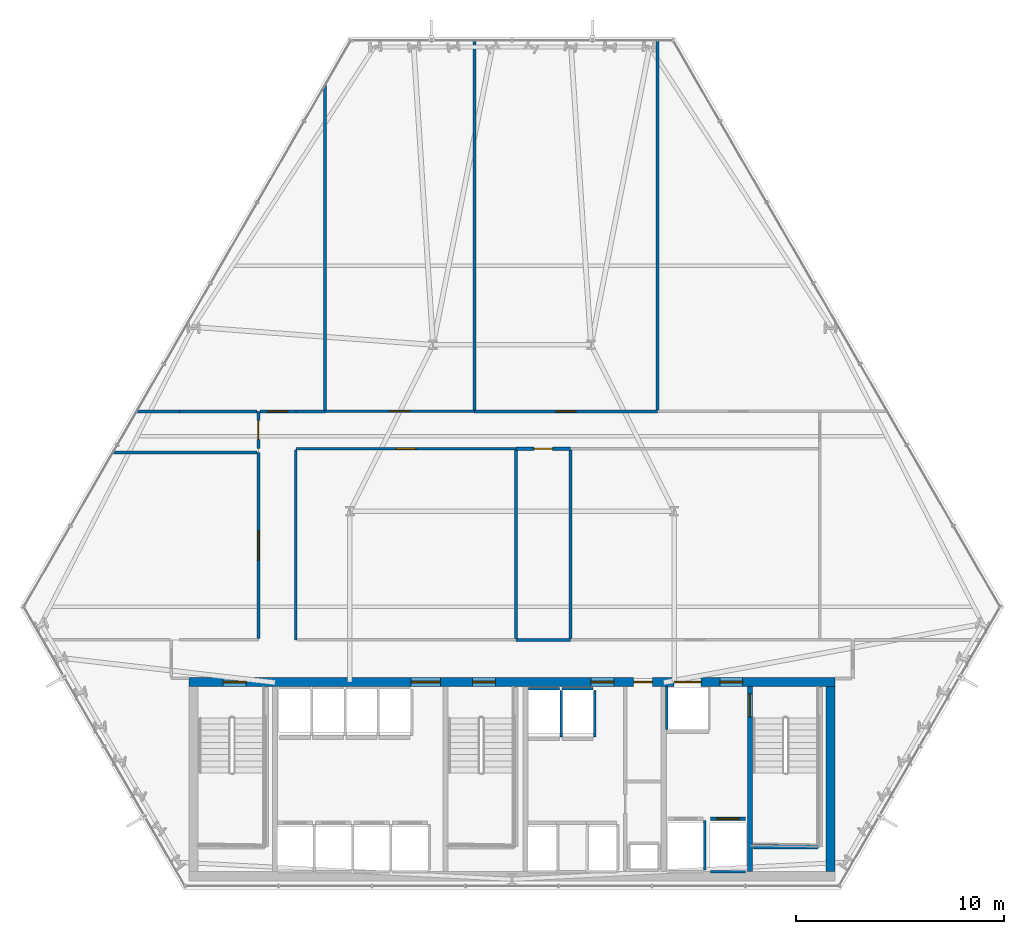
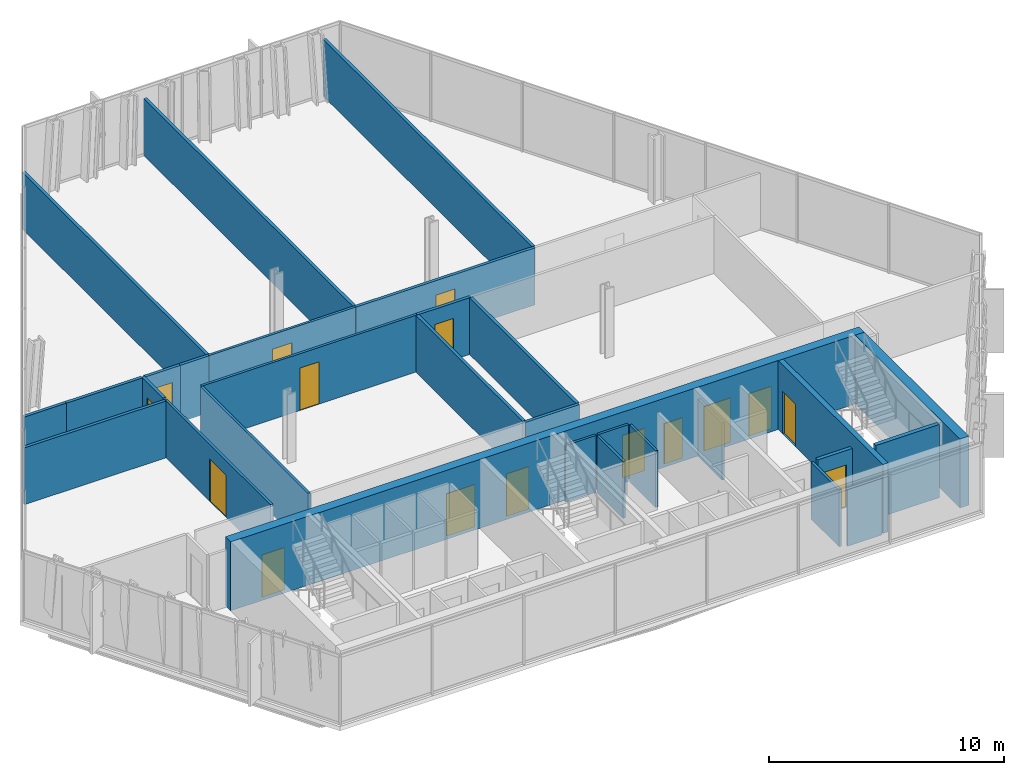
# One storey, part 27 of 32: 30 walls, 16 doors, 16 openings.
"""IFC4 building model written with IfcOpenShell, lengths in metres."""

from ifc_helpers import new_model, si_unit, direction, frame, frame_2d, origin, place, context, subcontext, project, spatial, rectangle, extrude, material, layer, layer_set, type_object, element, fill, save


model = new_model("IFC4")

# Units and contexts
model_context = context("Model", 3, precision=1e-05, world=origin(), true_north=direction((0.0, 1.0)))
body_context = subcontext(model_context, "Body", "Model", "MODEL_VIEW")
ifc_project = project(units=[si_unit("LENGTHUNIT", "METRE"), si_unit("AREAUNIT", "SQUARE_METRE"), si_unit("VOLUMEUNIT", "CUBIC_METRE"), si_unit("PLANEANGLEUNIT", "RADIAN"), si_unit("MASSUNIT", "GRAM", prefix="KILO")], contexts=[model_context])

# Site, building, storey
site_placement = place(None, origin())
site = spatial("IfcSite", under=ifc_project, at=site_placement, CompositionType="ELEMENT")
building_placement = place(site_placement, origin())
building = spatial("IfcBuilding", under=site, at=building_placement, Name="Ndaravel Arena Tower", CompositionType="ELEMENT")
storey_placement = place(building_placement, frame((0.0, 0.0, 66.39990234375)))
storey = spatial("IfcBuildingStorey", under=building, at=storey_placement, Name="L14", CompositionType="ELEMENT", Elevation=66.39990234375)

# Wall, opening, door
ifc_material_1 = material(Name="Concrete C60/75", Category="concrete")
ifc_layer_1 = layer(ifc_material_1, 0.25)
ifc_layer_set_1 = layer_set([ifc_layer_1], Name="Concrete C60/75")
wall_type_1 = type_object("IfcWallType", Name="WALL-CORE-250", PredefinedType="SOLIDWALL", material=ifc_layer_set_1)
wall_1_placement = place(storey_placement, frame((53.449951171875, 5.85009765625, 0.0), z_axis=(0.0, 0.0, 1.0), x_axis=(0.0, 1.0, 0.0)))
wall_1 = element("IfcWall", 1, at=wall_1_placement, inside=storey, type_object=wall_type_1, Name="L14 Core Web Shear Wall 5", PredefinedType="SOLIDWALL", context=body_context, shape_type="SweptSolid", body=[
    extrude(rectangle(XDim=8.89990234375, YDim=0.25, at=frame_2d((4.449951171875, 0.0))), origin(), (0.0, 0.0, 1.0), 3.580078125),
])
opening_1_placement = place(wall_1_placement, frame((7.449951171875, 0.0, 0.0)))
opening_1 = element("IfcOpeningElement", 2, at=opening_1_placement, cuts=wall_1, Name="Opening FD-01", PredefinedType="OPENING", context=body_context, shape_type="SweptSolid", body=[
    extrude(rectangle(XDim=1.10009765625, YDim=2.199951171875, at=frame_2d((0.550048828125, 1.10009765625))), frame((0.0, 0.125, 0.0), z_axis=(0.0, -1.0, 0.0), x_axis=(1.0, 0.0, 0.0)), (0.0, 0.0, 1.0), 0.25),
])
ifc_material_2 = material(Name="Steel S355", Category="steel")
door_type_1 = type_object("IfcDoorType", Name="DT-01-STAIR-1100", OperationType="SINGLE_SWING_LEFT", PredefinedType="DOOR", material=ifc_material_2)
door_1_placement = place(opening_1_placement, origin())
door_1 = element("IfcDoor", 3, at=door_1_placement, inside=storey, type_object=door_type_1, Name="L14 Firefighting Lobby to ST-3 Door", OperationType="SINGLE_SWING_LEFT", OverallHeight=2.199951171875, OverallWidth=1.10009765625, PredefinedType="DOOR", context=body_context, shape_type="SweptSolid", body=[
    extrude(rectangle(XDim=1.10009765625, YDim=2.199951171875, at=frame_2d((0.550048828125, 1.10009765625))), frame((0.0, 0.02490234375, 0.0), z_axis=(0.0, -1.0, 0.0), x_axis=(1.0, 0.0, 0.0)), (0.0, 0.0, 1.0), 0.050048828125),
])
fill(opening_1, door_1)

# Wall, openings, doors
ifc_material_3 = material(Name="Concrete C60/75", Category="concrete")
ifc_layer_2 = layer(ifc_material_3, 0.449951171875)
ifc_layer_set_2 = layer_set([ifc_layer_2], Name="Concrete C60/75")
wall_type_2 = type_object("IfcWallType", Name="WALL-CORE-450", PredefinedType="SOLIDWALL", material=ifc_layer_set_2)
wall_2_placement = place(storey_placement, frame((26.449951171875, 14.97509765625, 0.0), z_axis=(0.0, 0.0, 1.0), x_axis=(1.0, 0.0, 0.0)))
wall_2 = element("IfcWall", 4, at=wall_2_placement, inside=storey, type_object=wall_type_2, Name="L14 Core North Shear Wall", PredefinedType="SOLIDWALL", context=body_context, shape_type="SweptSolid", body=[
    extrude(rectangle(XDim=31.10009765625, YDim=0.449951171875, at=frame_2d((15.550048828125, 0.0))), origin(), (0.0, 0.0, 1.0), 3.580078125),
])
opening_2_placement = place(wall_2_placement, frame((1.64990234375, 0.0, 0.0)))
opening_2 = element("IfcOpeningElement", 5, at=opening_2_placement, cuts=wall_2, Name="Opening FD-01", PredefinedType="OPENING", context=body_context, shape_type="SweptSolid", body=[
    extrude(rectangle(XDim=1.10009765625, YDim=2.199951171875, at=frame_2d((0.550048828125, 1.10009765625))), frame((0.0, 0.22509765625, 0.0), z_axis=(0.0, -1.0, 0.0), x_axis=(1.0, 0.0, 0.0)), (0.0, 0.0, 1.0), 0.449951171875),
])
opening_3_placement = place(wall_2_placement, frame((13.64990234375, 0.0, 0.0)))
opening_3 = element("IfcOpeningElement", 6, at=opening_3_placement, cuts=wall_2, Name="Opening FD-01", PredefinedType="OPENING", context=body_context, shape_type="SweptSolid", body=[
    extrude(rectangle(XDim=1.10009765625, YDim=2.199951171875, at=frame_2d((0.550048828125, 1.10009765625))), frame((0.0, 0.22509765625, 0.0), z_axis=(0.0, -1.0, 0.0), x_axis=(1.0, 0.0, 0.0)), (0.0, 0.0, 1.0), 0.449951171875),
])
opening_4_placement = place(wall_2_placement, frame((25.550048828125, 0.0, 0.0)))
opening_4 = element("IfcOpeningElement", 7, at=opening_4_placement, cuts=wall_2, Name="Opening FD-01", PredefinedType="OPENING", context=body_context, shape_type="SweptSolid", body=[
    extrude(rectangle(XDim=1.10009765625, YDim=2.199951171875, at=frame_2d((0.550048828125, 1.10009765625))), frame((0.0, 0.22509765625, 0.0), z_axis=(0.0, -1.0, 0.0), x_axis=(1.0, 0.0, 0.0)), (0.0, 0.0, 1.0), 0.449951171875),
])
opening_5_placement = place(wall_2_placement, frame((10.699951171875, 0.0, 0.0)))
opening_5 = element("IfcOpeningElement", 8, at=opening_5_placement, cuts=wall_2, Name="Opening ID-02", PredefinedType="OPENING", context=body_context, shape_type="SweptSolid", body=[
    extrude(rectangle(XDim=1.39990234375, YDim=2.199951171875, at=frame_2d((0.699951171875, 1.10009765625))), frame((0.0, 0.22509765625, 0.0), z_axis=(0.0, -1.0, 0.0), x_axis=(1.0, 0.0, 0.0)), (0.0, 0.0, 1.0), 0.449951171875),
])
opening_6_placement = place(wall_2_placement, frame((19.35009765625, 0.0, 0.0)))
opening_6 = element("IfcOpeningElement", 9, at=opening_6_placement, cuts=wall_2, Name="Opening FD-01", PredefinedType="OPENING", context=body_context, shape_type="SweptSolid", body=[
    extrude(rectangle(XDim=1.10009765625, YDim=2.199951171875, at=frame_2d((0.550048828125, 1.10009765625))), frame((0.0, 0.22509765625, 0.0), z_axis=(0.0, -1.0, 0.0), x_axis=(1.0, 0.0, 0.0)), (0.0, 0.0, 1.0), 0.449951171875),
])
opening_7_placement = place(wall_2_placement, frame((21.39990234375, 0.0, 0.0)))
opening_7 = element("IfcOpeningElement", 10, at=opening_7_placement, cuts=wall_2, Name="Opening RD-01", PredefinedType="OPENING", context=body_context, shape_type="SweptSolid", body=[
    extrude(rectangle(XDim=0.89990234375, YDim=2.10009765625, at=frame_2d((0.449951171875, 1.050048828125))), frame((0.0, 0.22509765625, 0.0), z_axis=(0.0, -1.0, 0.0), x_axis=(1.0, 0.0, 0.0)), (0.0, 0.0, 1.0), 0.449951171875),
])
opening_8_placement = place(wall_2_placement, frame((23.35009765625, 0.0, 0.0)))
opening_8 = element("IfcOpeningElement", 11, at=opening_8_placement, cuts=wall_2, Name="Opening LD-02", PredefinedType="OPENING", context=body_context, shape_type="SweptSolid", body=[
    extrude(rectangle(XDim=1.300048828125, YDim=2.300048828125, at=frame_2d((0.64990234375, 1.14990234375))), frame((0.0, 0.22509765625, 0.0), z_axis=(0.0, -1.0, 0.0), x_axis=(1.0, 0.0, 0.0)), (0.0, 0.0, 1.0), 0.449951171875),
])
door_2_placement = place(opening_2_placement, origin())
door_2 = element("IfcDoor", 12, at=door_2_placement, inside=storey, type_object=door_type_1, Name="L14 Exit Stair ST-1 Door", OperationType="SINGLE_SWING_LEFT", OverallHeight=2.199951171875, OverallWidth=1.10009765625, PredefinedType="DOOR", context=body_context, shape_type="SweptSolid", body=[
    extrude(rectangle(XDim=1.10009765625, YDim=2.199951171875, at=frame_2d((0.550048828125, 1.10009765625))), frame((0.0, 0.02490234375, 0.0), z_axis=(0.0, -1.0, 0.0), x_axis=(1.0, 0.0, 0.0)), (0.0, 0.0, 1.0), 0.050048828125),
])
fill(opening_2, door_2)
door_3_placement = place(opening_3_placement, origin())
door_3 = element("IfcDoor", 13, at=door_3_placement, inside=storey, type_object=door_type_1, Name="L14 Exit Stair ST-2 Door", OperationType="SINGLE_SWING_RIGHT", OverallHeight=2.199951171875, OverallWidth=1.10009765625, PredefinedType="DOOR", context=body_context, shape_type="SweptSolid", body=[
    extrude(rectangle(XDim=1.10009765625, YDim=2.199951171875, at=frame_2d((0.550048828125, 1.10009765625))), frame((0.0, 0.02490234375, 0.0), z_axis=(0.0, -1.0, 0.0), x_axis=(1.0, 0.0, 0.0)), (0.0, 0.0, 1.0), 0.050048828125),
])
fill(opening_3, door_3)
door_4_placement = place(opening_4_placement, origin())
door_4 = element("IfcDoor", 14, at=door_4_placement, inside=storey, type_object=door_type_1, Name="L14 Firefighting Lift Lobby Door", OperationType="SINGLE_SWING_RIGHT", OverallHeight=2.199951171875, OverallWidth=1.10009765625, PredefinedType="DOOR", context=body_context, shape_type="SweptSolid", body=[
    extrude(rectangle(XDim=1.10009765625, YDim=2.199951171875, at=frame_2d((0.550048828125, 1.10009765625))), frame((0.0, 0.02490234375, 0.0), z_axis=(0.0, -1.0, 0.0), x_axis=(1.0, 0.0, 0.0)), (0.0, 0.0, 1.0), 0.050048828125),
])
fill(opening_4, door_4)
door_5_placement = place(opening_6_placement, origin())
door_5 = element("IfcDoor", 15, at=door_5_placement, inside=storey, type_object=door_type_1, Name="L14 Express Lift Lobby Entry Door", OperationType="SINGLE_SWING_LEFT", OverallHeight=2.199951171875, OverallWidth=1.10009765625, PredefinedType="DOOR", context=body_context, shape_type="SweptSolid", body=[
    extrude(rectangle(XDim=1.10009765625, YDim=2.199951171875, at=frame_2d((0.550048828125, 1.10009765625))), frame((0.0, 0.02490234375, 0.0), z_axis=(0.0, -1.0, 0.0), x_axis=(1.0, 0.0, 0.0)), (0.0, 0.0, 1.0), 0.050048828125),
])
fill(opening_6, door_5)
ifc_material_4 = material(Name="Timber", Category="wood")
door_type_2 = type_object("IfcDoorType", Name="DT-04-SUITE-1400", OperationType="DOUBLE_DOOR_SINGLE_SWING", PredefinedType="DOOR", material=ifc_material_4)
door_6_placement = place(opening_5_placement, origin())
door_6 = element("IfcDoor", 16, at=door_6_placement, inside=storey, type_object=door_type_2, Name="L14 West Lift Lobby Entry Door", OperationType="DOUBLE_DOOR_SINGLE_SWING", OverallHeight=2.199951171875, OverallWidth=1.39990234375, PredefinedType="DOOR", context=body_context, shape_type="SweptSolid", body=[
    extrude(rectangle(XDim=1.39990234375, YDim=2.199951171875, at=frame_2d((0.699951171875, 1.10009765625))), frame((0.0, 0.02490234375, 0.0), z_axis=(0.0, -1.0, 0.0), x_axis=(1.0, 0.0, 0.0)), (0.0, 0.0, 1.0), 0.050048828125),
])
fill(opening_5, door_6)
ifc_material_5 = material(Name="Steel S355", Category="steel")
door_type_3 = type_object("IfcDoorType", Name="DT-07-SVLIFT-1300", OperationType="DOUBLE_DOOR_SLIDING", PredefinedType="DOOR", material=ifc_material_5)
door_7_placement = place(opening_8_placement, origin())
door_7 = element("IfcDoor", 17, at=door_7_placement, inside=storey, type_object=door_type_3, Name="L14 Lift SVL-1 Sliding Landing Door", OperationType="DOUBLE_DOOR_SLIDING", OverallHeight=2.300048828125, OverallWidth=1.300048828125, PredefinedType="DOOR", context=body_context, shape_type="SweptSolid", body=[
    extrude(rectangle(XDim=1.300048828125, YDim=2.300048828125, at=frame_2d((0.64990234375, 1.14990234375))), frame((0.0, 0.02490234375, 0.0), z_axis=(0.0, -1.0, 0.0), x_axis=(1.0, 0.0, 0.0)), (0.0, 0.0, 1.0), 0.050048828125),
])
fill(opening_8, door_7)
ifc_material_6 = material(Name="Steel S355", Category="steel")
door_type_4 = type_object("IfcDoorType", Name="DT-08-RISER-900", OperationType="SINGLE_SWING_LEFT", PredefinedType="DOOR", material=ifc_material_6)
door_8_placement = place(opening_7_placement, origin())
door_8 = element("IfcDoor", 18, at=door_8_placement, inside=storey, type_object=door_type_4, Name="L14 Core Service Riser North Door", OperationType="SINGLE_SWING_LEFT", OverallHeight=2.10009765625, OverallWidth=0.89990234375, PredefinedType="DOOR", context=body_context, shape_type="SweptSolid", body=[
    extrude(rectangle(XDim=0.89990234375, YDim=2.10009765625, at=frame_2d((0.449951171875, 1.050048828125))), frame((0.0, 0.02490234375, 0.0), z_axis=(0.0, -1.0, 0.0), x_axis=(1.0, 0.0, 0.0)), (0.0, 0.0, 1.0), 0.050048828125),
])
fill(opening_7, door_8)

# Wall
wall_3_placement = place(storey_placement, frame((57.324951171875, 5.85009765625, 0.0), z_axis=(0.0, 0.0, 1.0), x_axis=(0.0, 1.0, 0.0)))
element("IfcWall", 19, at=wall_3_placement, inside=storey, type_object=wall_type_2, Name="L14 Core East Shear Wall", PredefinedType="SOLIDWALL", context=body_context, shape_type="SweptSolid", body=[
    extrude(rectangle(XDim=8.89990234375, YDim=0.449951171875, at=frame_2d((4.449951171875, 0.0))), origin(), (0.0, 0.0, 1.0), 3.580078125),
])

# Wall, opening, door
ifc_material_7 = material(Name="Gypsum", Category="gypsum")
ifc_layer_3 = layer(ifc_material_7, 0.125)
ifc_layer_set_3 = layer_set([ifc_layer_3], Name="Gypsum")
wall_type_3 = type_object("IfcWallType", Name="WALL-PART-125", PredefinedType="PARTITIONING", material=ifc_layer_set_3)
wall_4_placement = place(storey_placement, frame((29.800048828125, 17.06494140625, 0.0), z_axis=(0.0, 0.0, 1.0), x_axis=(0.0, 1.0, 0.0)))
wall_4 = element("IfcWall", 20, at=wall_4_placement, inside=storey, type_object=wall_type_3, Name="L14 Interior Partition 006", PredefinedType="PARTITIONING", context=body_context, shape_type="SweptSolid", body=[
    extrude(rectangle(XDim=8.955078125, YDim=0.125, at=frame_2d((4.4775390625, 0.0))), origin(), (0.0, 0.0, 1.0), 2.9501953125),
])
opening_9_placement = place(wall_4_placement, frame((3.777587890625, 0.0, 0.0)))
opening_9 = element("IfcOpeningElement", 21, at=opening_9_placement, cuts=wall_4, Name="Opening ID-02", PredefinedType="OPENING", context=body_context, shape_type="SweptSolid", body=[
    extrude(rectangle(XDim=1.39990234375, YDim=2.199951171875, at=frame_2d((0.699951171875, 1.10009765625))), frame((0.0, 0.0625, 0.0), z_axis=(0.0, -1.0, 0.0), x_axis=(1.0, 0.0, 0.0)), (0.0, 0.0, 1.0), 0.125),
])
door_9_placement = place(opening_9_placement, origin())
door_9 = element("IfcDoor", 22, at=door_9_placement, inside=storey, type_object=door_type_2, Name="L14 Visitor Reception Desk Door", OperationType="SINGLE_SWING_LEFT", OverallHeight=2.199951171875, OverallWidth=1.39990234375, PredefinedType="DOOR", context=body_context, shape_type="SweptSolid", body=[
    extrude(rectangle(XDim=1.39990234375, YDim=2.199951171875, at=frame_2d((0.699951171875, 1.10009765625))), frame((0.0, 0.02490234375, 0.0), z_axis=(0.0, -1.0, 0.0), x_axis=(1.0, 0.0, 0.0)), (0.0, 0.0, 1.0), 0.050048828125),
])
fill(opening_9, door_9)

wall_5_placement = place(storey_placement, frame((33.0, 28.0, 0.0), z_axis=(0.0, 0.0, 1.0), x_axis=(1.0, 0.0, 0.0)))
wall_5 = element("IfcWall", 23, at=wall_5_placement, inside=storey, type_object=wall_type_3, Name="L14 Interior Partition 010", PredefinedType="PARTITIONING", context=body_context, shape_type="SweptSolid", body=[
    extrude(rectangle(XDim=7.199951171875, YDim=0.125, at=frame_2d((3.60009765625, 0.0))), origin(), (0.0, 0.0, 1.0), 2.9501953125),
])
opening_10_placement = place(wall_5_placement, frame((3.125, 0.0, 0.0)))
opening_10 = element("IfcOpeningElement", 24, at=opening_10_placement, cuts=wall_5, Name="Opening ID-01", PredefinedType="OPENING", context=body_context, shape_type="SweptSolid", body=[
    extrude(rectangle(XDim=0.949951171875, YDim=2.199951171875, at=frame_2d((0.47509765625, 1.10009765625))), frame((0.0, 0.0625, 0.0), z_axis=(0.0, -1.0, 0.0), x_axis=(1.0, 0.0, 0.0)), (0.0, 0.0, 1.0), 0.125),
])
ifc_material_8 = material(Name="Timber", Category="wood")
door_type_5 = type_object("IfcDoorType", Name="DT-03-OFFICE-950", OperationType="SINGLE_SWING_LEFT", PredefinedType="DOOR", material=ifc_material_8)
door_10_placement = place(opening_10_placement, origin())
door_10 = element("IfcDoor", 25, at=door_10_placement, inside=storey, type_object=door_type_5, Name="L14 Executive Corner Office 4 Door", OperationType="SINGLE_SWING_LEFT", OverallHeight=2.199951171875, OverallWidth=0.949951171875, PredefinedType="DOOR", context=body_context, shape_type="SweptSolid", body=[
    extrude(rectangle(XDim=0.949951171875, YDim=2.199951171875, at=frame_2d((0.47509765625, 1.10009765625))), frame((0.0, 0.02490234375, 0.0), z_axis=(0.0, -1.0, 0.0), x_axis=(1.0, 0.0, 0.0)), (0.0, 0.0, 1.0), 0.050048828125),
])
fill(opening_10, door_10)

wall_6_placement = place(storey_placement, frame((42.18408203125, 26.199951171875, 0.0), z_axis=(0.0, 0.0, 1.0), x_axis=(-1.0, 0.0, 0.0)))
wall_6 = element("IfcWall", 26, at=wall_6_placement, inside=storey, type_object=wall_type_3, Name="L14 Interior Partition 016", PredefinedType="PARTITIONING", context=body_context, shape_type="SweptSolid", body=[
    extrude(rectangle(XDim=10.583984375, YDim=0.125, at=frame_2d((5.2919921875, 0.0))), origin(), (0.0, 0.0, 1.0), 2.9501953125),
])
opening_11_placement = place(wall_6_placement, frame((4.81689453125, 0.0, 0.0)))
opening_11 = element("IfcOpeningElement", 27, at=opening_11_placement, cuts=wall_6, Name="Opening ID-01", PredefinedType="OPENING", context=body_context, shape_type="SweptSolid", body=[
    extrude(rectangle(XDim=0.949951171875, YDim=2.199951171875, at=frame_2d((0.47509765625, 1.10009765625))), frame((0.0, 0.0625, 0.0), z_axis=(0.0, -1.0, 0.0), x_axis=(1.0, 0.0, 0.0)), (0.0, 0.0, 1.0), 0.125),
])
door_11_placement = place(opening_11_placement, origin())
door_11 = element("IfcDoor", 28, at=door_11_placement, inside=storey, type_object=door_type_5, Name="L14 Floor Security Control Room Door", OperationType="SINGLE_SWING_RIGHT", OverallHeight=2.199951171875, OverallWidth=0.949951171875, PredefinedType="DOOR", context=body_context, shape_type="SweptSolid", body=[
    extrude(rectangle(XDim=0.949951171875, YDim=2.199951171875, at=frame_2d((0.47509765625, 1.10009765625))), frame((0.0, 0.02490234375, 0.0), z_axis=(0.0, -1.0, 0.0), x_axis=(1.0, 0.0, 0.0)), (0.0, 0.0, 1.0), 0.050048828125),
])
fill(opening_11, door_11)

# Walls
wall_7_placement = place(storey_placement, frame((31.60009765625, 26.135009765625, 0.0), z_axis=(0.0, 0.0, 1.0), x_axis=(0.0, -1.0, 0.0)))
element("IfcWall", 29, at=wall_7_placement, inside=storey, type_object=wall_type_3, Name="L14 Interior Partition 017", PredefinedType="PARTITIONING", context=body_context, shape_type="SweptSolid", body=[
    extrude(rectangle(XDim=9.135009765625, YDim=0.125, at=frame_2d((4.5673828125, 0.0))), origin(), (0.0, 0.0, 1.0), 2.9501953125),
])
ifc_material_9 = material(Name="Concrete C40/50", Category="concrete")
ifc_layer_4 = layer(ifc_material_9, 0.1201171875)
ifc_layer_set_4 = layer_set([ifc_layer_4], Name="Concrete C40/50")
wall_type_4 = type_object("IfcWallType", Name="WALL-SHAFT-120", PredefinedType="SOLIDWALL", material=ifc_layer_set_4)
wall_8_placement = place(storey_placement, frame((42.804931640625, 14.659912109375, 0.0), z_axis=(0.0, 0.0, 1.0), x_axis=(1.0, 0.0, 0.0)))
element("IfcWall", 30, at=wall_8_placement, inside=storey, type_object=wall_type_4, Name="L14 PL-OBS1 Shaft Rear Wall", PredefinedType="SOLIDWALL", context=body_context, shape_type="SweptSolid", body=[
    extrude(rectangle(XDim=1.489990234375, YDim=0.1201171875, at=frame_2d((0.7451171875, 0.0))), origin(), (0.0, 0.0, 1.0), 2.9501953125),
])
wall_9_placement = place(storey_placement, frame((44.375, 12.340087890625, 0.0), z_axis=(0.0, 0.0, 1.0), x_axis=(0.0, 1.0, 0.0)))
element("IfcWall", 31, at=wall_9_placement, inside=storey, type_object=wall_type_4, Name="L14 PL-OBS1 Shaft Side R Wall", PredefinedType="SOLIDWALL", context=body_context, shape_type="SweptSolid", body=[
    extrude(rectangle(XDim=2.22998046875, YDim=0.1201171875, at=frame_2d((1.114990234375, 0.0))), origin(), (0.0, 0.0, 1.0), 2.9501953125),
])
wall_10_placement = place(storey_placement, frame((44.405029296875, 14.659912109375, 0.0), z_axis=(0.0, 0.0, 1.0), x_axis=(1.0, 0.0, 0.0)))
element("IfcWall", 32, at=wall_10_placement, inside=storey, type_object=wall_type_4, Name="L14 PL-OBS2 Shaft Rear Wall", PredefinedType="SOLIDWALL", context=body_context, shape_type="SweptSolid", body=[
    extrude(rectangle(XDim=1.489990234375, YDim=0.1201171875, at=frame_2d((0.7451171875, 0.0))), origin(), (0.0, 0.0, 1.0), 2.9501953125),
])
wall_11_placement = place(storey_placement, frame((45.97509765625, 12.340087890625, 0.0), z_axis=(0.0, 0.0, 1.0), x_axis=(0.0, 1.0, 0.0)))
element("IfcWall", 33, at=wall_11_placement, inside=storey, type_object=wall_type_4, Name="L14 PL-OBS2 Shaft Side R Wall", PredefinedType="SOLIDWALL", context=body_context, shape_type="SweptSolid", body=[
    extrude(rectangle(XDim=2.22998046875, YDim=0.1201171875, at=frame_2d((1.114990234375, 0.0))), origin(), (0.0, 0.0, 1.0), 2.9501953125),
])
wall_12_placement = place(storey_placement, frame((51.27490234375, 5.929931640625, 0.0), z_axis=(0.0, 0.0, 1.0), x_axis=(0.0, 1.0, 0.0)))
element("IfcWall", 34, at=wall_12_placement, inside=storey, type_object=wall_type_4, Name="L14 FFL-1 Shaft Side R Wall", PredefinedType="SOLIDWALL", context=body_context, shape_type="SweptSolid", body=[
    extrude(rectangle(XDim=2.380126953125, YDim=0.1201171875, at=frame_2d((1.18994140625, 0.0))), origin(), (0.0, 0.0, 1.0), 2.9501953125),
])
wall_13_placement = place(storey_placement, frame((51.554931640625, 5.840087890625, 0.0), z_axis=(0.0, 0.0, 1.0), x_axis=(1.0, 0.0, 0.0)))
element("IfcWall", 35, at=wall_13_placement, inside=storey, type_object=wall_type_4, Name="L14 FFL-2 Shaft Rear Wall", PredefinedType="SOLIDWALL", context=body_context, shape_type="SweptSolid", body=[
    extrude(rectangle(XDim=1.690185546875, YDim=0.1201171875, at=frame_2d((0.84521484375, 0.0))), origin(), (0.0, 0.0, 1.0), 2.9501953125),
])
wall_14_placement = place(storey_placement, frame((49.43994140625, 12.68994140625, 0.0), z_axis=(0.0, 0.0, 1.0), x_axis=(0.0, 1.0, 0.0)))
element("IfcWall", 36, at=wall_14_placement, inside=storey, type_object=wall_type_4, Name="L14 SVL-1 Shaft W Wall", PredefinedType="SOLIDWALL", context=body_context, shape_type="SweptSolid", body=[
    extrude(rectangle(XDim=2.070068359375, YDim=0.1201171875, at=frame_2d((1.03515625, 0.0))), origin(), (0.0, 0.0, 1.0), 2.9501953125),
])
ifc_material_10 = material(Name="Concrete C40/50", Category="concrete")
ifc_layer_5 = layer(ifc_material_10, 0.199951171875)
ifc_layer_set_5 = layer_set([ifc_layer_5], Name="Concrete C40/50")
wall_type_5 = type_object("IfcWallType", Name="WALL-SHAFT-200", PredefinedType="SOLIDWALL", material=ifc_layer_set_5)
wall_15_placement = place(storey_placement, frame((53.6201171875, 7.050048828125, 0.0), z_axis=(0.0, 0.0, 1.0), x_axis=(1.0, 0.0, 0.0)))
element("IfcWall", 37, at=wall_15_placement, inside=storey, type_object=wall_type_5, Name="L14 ST-3 Structural Shaft Wall Far", PredefinedType="SOLIDWALL", context=body_context, shape_type="SweptSolid", body=[
    extrude(rectangle(XDim=3.114990234375, YDim=0.199951171875, at=frame_2d((1.5576171875, 0.0))), origin(), (0.0, 0.0, 1.0), 3.800048828125),
])

# Wall, opening, door
wall_16_placement = place(storey_placement, frame((51.554931640625, 8.39990234375, 0.0), z_axis=(0.0, 0.0, 1.0), x_axis=(1.0, 0.0, 0.0)))
wall_16 = element("IfcWall", 38, at=wall_16_placement, inside=storey, type_object=wall_type_5, Name="L14 FFL-2 Shaft Landing Wall", PredefinedType="SOLIDWALL", context=body_context, shape_type="SweptSolid", body=[
    extrude(rectangle(XDim=1.690185546875, YDim=0.179931640625, at=frame_2d((0.84521484375, 0.0))), origin(), (0.0, 0.0, 1.0), 2.9501953125),
])
opening_12_placement = place(wall_16_placement, frame((0.294921875, 0.0, 0.0)))
opening_12 = element("IfcOpeningElement", 39, at=opening_12_placement, cuts=wall_16, Name="Opening LD-01", PredefinedType="OPENING", context=body_context, shape_type="SweptSolid", body=[
    extrude(rectangle(XDim=1.10009765625, YDim=2.199951171875, at=frame_2d((0.550048828125, 1.10009765625))), frame((0.0, 0.08984375, 0.0), z_axis=(0.0, -1.0, 0.0), x_axis=(1.0, 0.0, 0.0)), (0.0, 0.0, 1.0), 0.179931640625),
])
ifc_material_11 = material(Name="Steel S355", Category="steel")
door_type_6 = type_object("IfcDoorType", Name="DT-06-LIFT-1100", OperationType="SLIDING_TO_LEFT", PredefinedType="DOOR", material=ifc_material_11)
door_12_placement = place(opening_12_placement, origin())
door_12 = element("IfcDoor", 40, at=door_12_placement, inside=storey, type_object=door_type_6, Name="L14 Lift FFL-2 Sliding Landing Door", OperationType="SLIDING_TO_LEFT", OverallHeight=2.199951171875, OverallWidth=1.10009765625, PredefinedType="DOOR", context=body_context, shape_type="SweptSolid", body=[
    extrude(rectangle(XDim=1.10009765625, YDim=2.199951171875, at=frame_2d((0.550048828125, 1.10009765625))), frame((0.0, 0.02490234375, 0.0), z_axis=(0.0, -1.0, 0.0), x_axis=(1.0, 0.0, 0.0)), (0.0, 0.0, 1.0), 0.050048828125),
])
fill(opening_12, door_12)

ifc_material_12 = material(Name="Masonry", Category="masonry")
ifc_layer_6 = layer(ifc_material_12, 0.14990234375)
ifc_layer_set_6 = layer_set([ifc_layer_6], Name="Masonry")
wall_type_6 = type_object("IfcWallType", Name="WALL-WET-150", PredefinedType="PARTITIONING", material=ifc_layer_set_6)
wall_17_placement = place(storey_placement, frame((29.800048828125, 26.199951171875, 0.0), z_axis=(0.0, 0.0, 1.0), x_axis=(0.0, 1.0, 0.0)))
wall_17 = element("IfcWall", 41, at=wall_17_placement, inside=storey, type_object=wall_type_6, Name="L14 Interior Partition 007", PredefinedType="PARTITIONING", context=body_context, shape_type="SweptSolid", body=[
    extrude(rectangle(XDim=1.800048828125, YDim=0.14990234375, at=frame_2d((0.89990234375, 0.0))), origin(), (0.0, 0.0, 1.0), 2.9501953125),
])
opening_13_placement = place(wall_17_placement, frame((0.449951171875, 0.0, 0.0)))
opening_13 = element("IfcOpeningElement", 42, at=opening_13_placement, cuts=wall_17, Name="Opening WD-01", PredefinedType="OPENING", context=body_context, shape_type="SweptSolid", body=[
    extrude(rectangle(XDim=0.89990234375, YDim=2.14990234375, at=frame_2d((0.449951171875, 1.074951171875))), frame((0.0, 0.074951171875, 0.0), z_axis=(0.0, -1.0, 0.0), x_axis=(1.0, 0.0, 0.0)), (0.0, 0.0, 1.0), 0.14990234375),
])
ifc_material_13 = material(Name="Timber", Category="wood")
door_type_7 = type_object("IfcDoorType", Name="DT-05-WC-900", OperationType="SINGLE_SWING_LEFT", PredefinedType="DOOR", material=ifc_material_13)
door_13_placement = place(opening_13_placement, origin())
door_13 = element("IfcDoor", 43, at=door_13_placement, inside=storey, type_object=door_type_7, Name="L14 Female & Accessible Restroom Door", OperationType="SINGLE_SWING_RIGHT", OverallHeight=2.14990234375, OverallWidth=0.89990234375, PredefinedType="DOOR", context=body_context, shape_type="SweptSolid", body=[
    extrude(rectangle(XDim=0.89990234375, YDim=2.14990234375, at=frame_2d((0.449951171875, 1.074951171875))), frame((0.0, 0.02490234375, 0.0), z_axis=(0.0, -1.0, 0.0), x_axis=(1.0, 0.0, 0.0)), (0.0, 0.0, 1.0), 0.050048828125),
])
fill(opening_13, door_13)

wall_18_placement = place(storey_placement, frame((29.864990234375, 28.0, 0.0), z_axis=(0.0, 0.0, 1.0), x_axis=(1.0, 0.0, 0.0)))
wall_18 = element("IfcWall", 44, at=wall_18_placement, inside=storey, type_object=wall_type_6, Name="L14 Interior Partition 008", PredefinedType="PARTITIONING", context=body_context, shape_type="SweptSolid", body=[
    extrude(rectangle(XDim=1.735107421875, YDim=0.14990234375, at=frame_2d((0.86767578125, 0.0))), origin(), (0.0, 0.0, 1.0), 2.9501953125),
])
opening_14_placement = place(wall_18_placement, frame((0.392578125, 0.0, 0.0)))
opening_14 = element("IfcOpeningElement", 45, at=opening_14_placement, cuts=wall_18, Name="Opening FD-03", PredefinedType="OPENING", context=body_context, shape_type="SweptSolid", body=[
    extrude(rectangle(XDim=0.949951171875, YDim=2.199951171875, at=frame_2d((0.47509765625, 1.10009765625))), frame((0.0, 0.074951171875, 0.0), z_axis=(0.0, -1.0, 0.0), x_axis=(1.0, 0.0, 0.0)), (0.0, 0.0, 1.0), 0.14990234375),
])
ifc_material_14 = material(Name="Steel S355", Category="steel")
door_type_8 = type_object("IfcDoorType", Name="DT-11-CORE-950", OperationType="SINGLE_SWING_LEFT", PredefinedType="DOOR", material=ifc_material_14)
door_14_placement = place(opening_14_placement, origin())
door_14 = element("IfcDoor", 46, at=door_14_placement, inside=storey, type_object=door_type_8, Name="L14 Catering Pantry 2 Door", OperationType="SINGLE_SWING_LEFT", OverallHeight=2.199951171875, OverallWidth=0.949951171875, PredefinedType="DOOR", context=body_context, shape_type="SweptSolid", body=[
    extrude(rectangle(XDim=0.949951171875, YDim=2.199951171875, at=frame_2d((0.47509765625, 1.10009765625))), frame((0.0, 0.02490234375, 0.0), z_axis=(0.0, -1.0, 0.0), x_axis=(1.0, 0.0, 0.0)), (0.0, 0.0, 1.0), 0.050048828125),
])
fill(opening_14, door_14)

# Wall
wall_19_placement = place(storey_placement, frame((31.60009765625, 28.0, 0.0), z_axis=(0.0, 0.0, 1.0), x_axis=(1.0, 0.0, 0.0)))
element("IfcWall", 47, at=wall_19_placement, inside=storey, type_object=wall_type_6, Name="L14 Interior Partition 009", PredefinedType="PARTITIONING", context=body_context, shape_type="SweptSolid", body=[
    extrude(rectangle(XDim=1.39990234375, YDim=0.14990234375, at=frame_2d((0.699951171875, 0.0))), origin(), (0.0, 0.0, 1.0), 2.9501953125),
])

# Wall, opening, door
wall_20_placement = place(storey_placement, frame((40.199951171875, 28.0, 0.0), z_axis=(0.0, 0.0, 1.0), x_axis=(1.0, 0.0, 0.0)))
wall_20 = element("IfcWall", 48, at=wall_20_placement, inside=storey, type_object=wall_type_6, Name="L14 Interior Partition 011", PredefinedType="PARTITIONING", context=body_context, shape_type="SweptSolid", body=[
    extrude(rectangle(XDim=8.800048828125, YDim=0.14990234375, at=frame_2d((4.39990234375, 0.0))), origin(), (0.0, 0.0, 1.0), 2.9501953125),
])
opening_15_placement = place(wall_20_placement, frame((3.925048828125, 0.0, 0.0)))
opening_15 = element("IfcOpeningElement", 49, at=opening_15_placement, cuts=wall_20, Name="Opening FD-03", PredefinedType="OPENING", context=body_context, shape_type="SweptSolid", body=[
    extrude(rectangle(XDim=0.949951171875, YDim=2.199951171875, at=frame_2d((0.47509765625, 1.10009765625))), frame((0.0, 0.074951171875, 0.0), z_axis=(0.0, -1.0, 0.0), x_axis=(1.0, 0.0, 0.0)), (0.0, 0.0, 1.0), 0.14990234375),
])
door_15_placement = place(opening_15_placement, origin())
door_15 = element("IfcDoor", 50, at=door_15_placement, inside=storey, type_object=door_type_8, Name="L14 Floor Servery Kitchen 4 Door", OperationType="SINGLE_SWING_RIGHT", OverallHeight=2.199951171875, OverallWidth=0.949951171875, PredefinedType="DOOR", context=body_context, shape_type="SweptSolid", body=[
    extrude(rectangle(XDim=0.949951171875, YDim=2.199951171875, at=frame_2d((0.47509765625, 1.10009765625))), frame((0.0, 0.02490234375, 0.0), z_axis=(0.0, -1.0, 0.0), x_axis=(1.0, 0.0, 0.0)), (0.0, 0.0, 1.0), 0.050048828125),
])
fill(opening_15, door_15)

wall_21_placement = place(storey_placement, frame((44.81494140625, 26.199951171875, 0.0), z_axis=(0.0, 0.0, 1.0), x_axis=(-1.0, 0.0, 0.0)))
wall_21 = element("IfcWall", 51, at=wall_21_placement, inside=storey, type_object=wall_type_6, Name="L14 Interior Partition 015", PredefinedType="PARTITIONING", context=body_context, shape_type="SweptSolid", body=[
    extrude(rectangle(XDim=2.630859375, YDim=0.14990234375, at=frame_2d((1.3154296875, 0.0))), origin(), (0.0, 0.0, 1.0), 2.9501953125),
])
opening_16_placement = place(wall_21_placement, frame((0.865478515625, 0.0, 0.0)))
opening_16 = element("IfcOpeningElement", 52, at=opening_16_placement, cuts=wall_21, Name="Opening WD-01", PredefinedType="OPENING", context=body_context, shape_type="SweptSolid", body=[
    extrude(rectangle(XDim=0.89990234375, YDim=2.14990234375, at=frame_2d((0.449951171875, 1.074951171875))), frame((0.0, 0.074951171875, 0.0), z_axis=(0.0, -1.0, 0.0), x_axis=(1.0, 0.0, 0.0)), (0.0, 0.0, 1.0), 0.14990234375),
])
door_16_placement = place(opening_16_placement, origin())
door_16 = element("IfcDoor", 53, at=door_16_placement, inside=storey, type_object=door_type_7, Name="L14 Male Staff & Visitor Restroom Door", OperationType="SINGLE_SWING_LEFT", OverallHeight=2.14990234375, OverallWidth=0.89990234375, PredefinedType="DOOR", context=body_context, shape_type="SweptSolid", body=[
    extrude(rectangle(XDim=0.89990234375, YDim=2.14990234375, at=frame_2d((0.449951171875, 1.074951171875))), frame((0.0, 0.02490234375, 0.0), z_axis=(0.0, -1.0, 0.0), x_axis=(1.0, 0.0, 0.0)), (0.0, 0.0, 1.0), 0.050048828125),
])
fill(opening_16, door_16)

# Walls
wall_22_placement = place(storey_placement, frame((42.18408203125, 17.0, 0.0), z_axis=(0.0, 0.0, 1.0), x_axis=(1.0, 0.0, 0.0)))
element("IfcWall", 54, at=wall_22_placement, inside=storey, type_object=wall_type_6, Name="L14 Interior Partition 019", PredefinedType="PARTITIONING", context=body_context, shape_type="SweptSolid", body=[
    extrude(rectangle(XDim=2.630859375, YDim=0.14990234375, at=frame_2d((1.3154296875, 0.0))), origin(), (0.0, 0.0, 1.0), 2.9501953125),
])
wall_23_placement = place(storey_placement, frame((22.79638671875, 26.02001953125, 0.0), z_axis=(0.0, 0.0, 1.0), x_axis=(1.0, 0.0, 0.0)))
element("IfcWall", 55, at=wall_23_placement, inside=storey, type_object=wall_type_6, Name="L14 Interior Partition 024", PredefinedType="PARTITIONING", context=body_context, shape_type="SweptSolid", body=[
    extrude(rectangle(XDim=6.938720703125, YDim=0.14990234375, at=frame_2d((3.46923828125, 0.0))), origin(), (0.0, 0.0, 1.0), 2.9501953125),
])
for number, where, z_axis, x_axis, name in (
    (56, (42.18408203125, 26.135009765625, 0.0), (0.0, 0.0, 1.0), (0.0, -1.0, 0.0), "L14 Interior Partition 025"),
    (57, (44.81494140625, 26.135009765625, 0.0), (0.0, 0.0, 1.0), (0.0, -1.0, 0.0), "L14 Interior Partition 026"),
):
    element("IfcWall", number, at=place(storey_placement, frame(where, z_axis=z_axis, x_axis=x_axis)), inside=storey, type_object=wall_type_6, Name=name, PredefinedType="PARTITIONING", context=body_context, shape_type="SweptSolid", body=[
        extrude(rectangle(XDim=9.070068359375, YDim=0.14990234375, at=frame_2d((4.53515625, 0.0))), origin(), (0.0, 0.0, 1.0), 2.9501953125),
    ])
wall_24_placement = place(storey_placement, frame((23.939453125, 28.0, 0.0), z_axis=(0.0, 0.0, 1.0), x_axis=(1.0, 0.0, 0.0)))
element("IfcWall", 58, at=wall_24_placement, inside=storey, type_object=wall_type_6, Name="L14 Interior Partition 029", PredefinedType="PARTITIONING", context=body_context, shape_type="SweptSolid", body=[
    extrude(rectangle(XDim=2.060546875, YDim=0.14990234375, at=frame_2d((1.0302734375, 0.0))), origin(), (0.0, 0.0, 1.0), 2.9501953125),
])
wall_25_placement = place(storey_placement, frame((26.0, 28.0, 0.0), z_axis=(0.0, 0.0, 1.0), x_axis=(1.0, 0.0, 0.0)))
element("IfcWall", 59, at=wall_25_placement, inside=storey, type_object=wall_type_6, Name="L14 Interior Partition 030", PredefinedType="PARTITIONING", context=body_context, shape_type="SweptSolid", body=[
    extrude(rectangle(XDim=3.735107421875, YDim=0.14990234375, at=frame_2d((1.86767578125, 0.0))), origin(), (0.0, 0.0, 1.0), 2.9501953125),
])
wall_26_placement = place(storey_placement, frame((33.0, 43.693359375, 0.0), z_axis=(0.0, 0.0, 1.0), x_axis=(0.0, -1.0, 0.0)))
element("IfcWall", 60, at=wall_26_placement, inside=storey, type_object=wall_type_6, Name="L14 Interior Partition 031", PredefinedType="PARTITIONING", context=body_context, shape_type="SweptSolid", body=[
    extrude(rectangle(XDim=15.62841796875, YDim=0.14990234375, at=frame_2d((7.814208984375, 0.0))), origin(), (0.0, 0.0, 1.0), 2.9501953125),
])
for number, where, z_axis, x_axis, name in (
    (61, (49.0, 28.06494140625, 0.0), (0.0, 0.0, 1.0), (0.0, 1.0, 0.0), "L14 Interior Partition 032"),
    (62, (40.199951171875, 45.847900390625, 0.0), (0.0, 0.0, 1.0), (0.0, -1.0, 0.0), "L14 Interior Partition 033"),
):
    element("IfcWall", number, at=place(storey_placement, frame(where, z_axis=z_axis, x_axis=x_axis)), inside=storey, type_object=wall_type_6, Name=name, PredefinedType="PARTITIONING", context=body_context, shape_type="SweptSolid", body=[
        extrude(rectangle(XDim=17.782958984375, YDim=0.14990234375, at=frame_2d((8.8916015625, 0.0))), origin(), (0.0, 0.0, 1.0), 2.9501953125),
    ])

save(model, "model.ifc")
